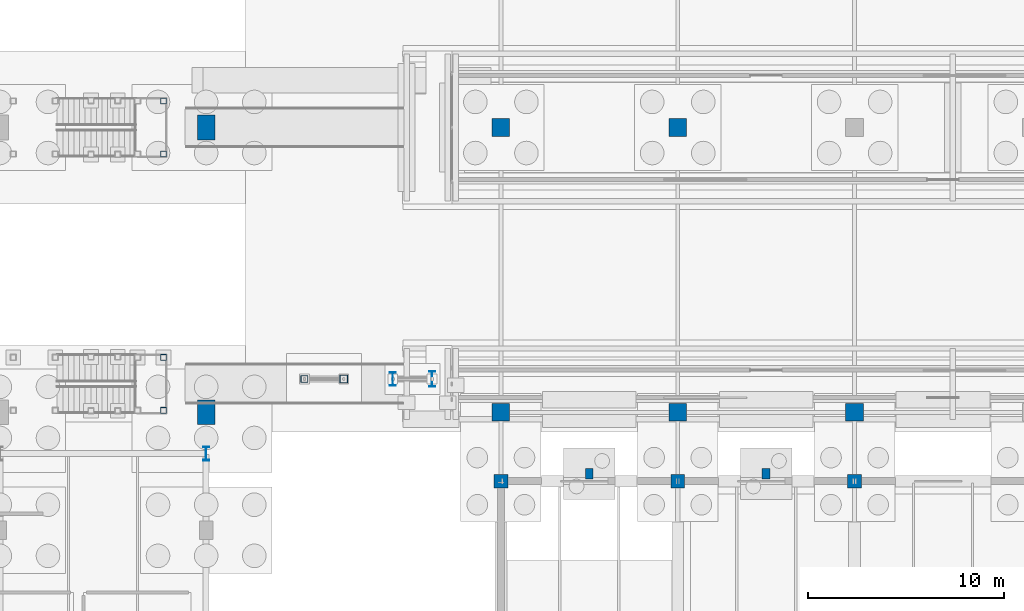
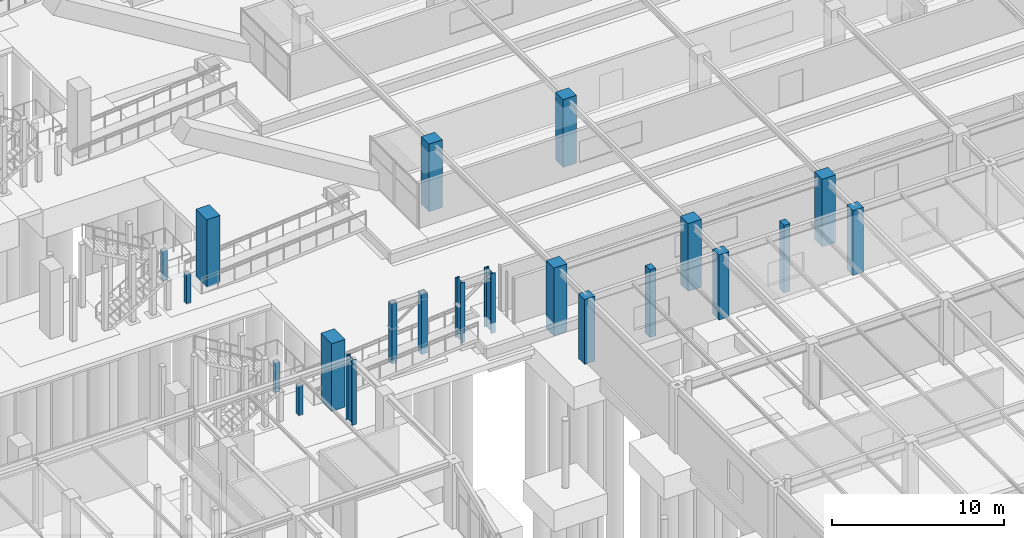
# One storey, part 28 of 160: 21 columns.
"""IFC4 building model written with IfcOpenShell, lengths in metres."""

from ifc_helpers import new_model, si_unit, direction, frame, origin, origin_2d, place, context, subcontext, project, spatial, rectangle, hollow_rectangle, i_section, extrude, material, material_profile, profile_set, type_object, element, save


model = new_model("IFC4")

# Units and contexts
model_context = context("Model", 3, precision=1e-05, world=origin(), true_north=direction((0.0, 1.0)))
body_context = subcontext(model_context, "Body", "Model", "MODEL_VIEW")
ifc_project = project(units=[si_unit("LENGTHUNIT", "METRE"), si_unit("AREAUNIT", "SQUARE_METRE"), si_unit("VOLUMEUNIT", "CUBIC_METRE"), si_unit("PLANEANGLEUNIT", "RADIAN"), si_unit("MASSUNIT", "GRAM", prefix="KILO")], contexts=[model_context])

# Site, building, storey
site_placement = place(None, origin())
site = spatial("IfcSite", under=ifc_project, at=site_placement, CompositionType="ELEMENT")
building_placement = place(site_placement, origin())
building = spatial("IfcBuilding", under=site, at=building_placement, Name="Marlcrest Central Station", CompositionType="ELEMENT")
storey_placement = place(building_placement, origin())
storey = spatial("IfcBuildingStorey", under=building, at=storey_placement, Name="L00", CompositionType="ELEMENT", Elevation=0.0)

# Columns
ifc_material_1 = material(Name="Precast concrete C40/50", Category="concrete")
ifc_material_profile_1 = material_profile(ifc_material_1, rectangle(XDim=0.39990234375, YDim=0.550048828125, at=origin_2d()), Name="PIL 400x550")
ifc_profile_set_1 = profile_set([ifc_material_profile_1], Name="Precast concrete C40/50")
column_type_1 = type_object("IfcColumnType", Name="PL-02", PredefinedType="PILASTER", material=ifc_profile_set_1)
for number, where, z_axis, x_axis, name in (
    (1, (148.5, 33.3798828125, 0.0), (0.0, 0.0, 1.0), (1.0, 0.0, 0.0), "col-PL-02-L00-0289"),
    (2, (157.5, 33.3798828125, 0.0), (0.0, 0.0, 1.0), (1.0, 0.0, 0.0), "col-PL-02-L00-0290"),
):
    element("IfcColumn", number, at=place(storey_placement, frame(where, z_axis=z_axis, x_axis=x_axis)), inside=storey, type_object=column_type_1, Name=name, PredefinedType="PILASTER", context=body_context, shape_type="SweptSolid", body=[
        extrude(rectangle(XDim=0.39990234375, YDim=0.550048828125, at=origin_2d()), origin(), (0.0, 0.0, 1.0), 4.800048828125),
    ])
ifc_material_2 = material(Name="Concrete C50/60", Category="concrete")
ifc_material_profile_2 = material_profile(ifc_material_2, rectangle(XDim=0.699951171875, YDim=0.699951171875, at=origin_2d()), Name="RC 700x700")
ifc_profile_set_2 = profile_set([ifc_material_profile_2], Name="Concrete C50/60")
column_type_2 = type_object("IfcColumnType", Name="RC-06", PredefinedType="COLUMN", material=ifc_profile_set_2)
for number, where, z_axis, x_axis, name in (
    (3, (144.0, 33.0, 0.0), (0.0, 0.0, 1.0), (1.0, 0.0, 0.0), "col-RC-06-L00-0256"),
    (4, (153.0, 33.0, 0.0), (0.0, 0.0, 1.0), (1.0, 0.0, 0.0), "col-RC-06-L00-0260"),
    (5, (162.0, 33.0, 0.0), (0.0, 0.0, 1.0), (1.0, 0.0, 0.0), "col-RC-06-L00-0264"),
):
    element("IfcColumn", number, at=place(storey_placement, frame(where, z_axis=z_axis, x_axis=x_axis)), inside=storey, type_object=column_type_2, Name=name, PredefinedType="COLUMN", context=body_context, shape_type="SweptSolid", body=[
        extrude(rectangle(XDim=0.699951171875, YDim=0.699951171875, at=origin_2d()), origin(), (0.0, 0.0, 1.0), 4.60498046875),
    ])
ifc_material_profile_3 = material_profile(ifc_material_2, rectangle(XDim=0.89990234375, YDim=0.89990234375, at=origin_2d()), Name="RC 900x900")
ifc_profile_set_3 = profile_set([ifc_material_profile_3], Name="Concrete C50/60")
column_type_3 = type_object("IfcColumnType", Name="RC-08", PredefinedType="COLUMN", material=ifc_profile_set_3)
for number, where, z_axis, x_axis, name in (
    (6, (144.0, 36.5, 0.0), (0.0, 0.0, 1.0), (1.0, 0.0, 0.0), "col-RC-08-L00-0512"),
    (7, (144.0, 51.0, 0.0), (0.0, 0.0, 1.0), (1.0, 0.0, 0.0), "col-RC-08-L00-0514"),
    (8, (153.0, 36.5, 0.0), (0.0, 0.0, 1.0), (1.0, 0.0, 0.0), "col-RC-08-L00-0523"),
    (9, (153.0, 51.0, 0.0), (0.0, 0.0, 1.0), (1.0, 0.0, 0.0), "col-RC-08-L00-0525"),
    (10, (162.0, 36.5, 0.0), (0.0, 0.0, 1.0), (1.0, 0.0, 0.0), "col-RC-08-L00-0534"),
):
    element("IfcColumn", number, at=place(storey_placement, frame(where, z_axis=z_axis, x_axis=x_axis)), inside=storey, type_object=column_type_3, Name=name, PredefinedType="COLUMN", context=body_context, shape_type="SweptSolid", body=[
        extrude(rectangle(XDim=0.89990234375, YDim=0.89990234375, at=origin_2d()), origin(), (0.0, 0.0, 1.0), 4.800048828125),
    ])
ifc_material_profile_4 = material_profile(ifc_material_2, rectangle(XDim=0.89990234375, YDim=1.25, at=origin_2d()), Name="RC 900x1250")
ifc_profile_set_4 = profile_set([ifc_material_profile_4], Name="Concrete C50/60")
column_type_4 = type_object("IfcColumnType", Name="RC-12", PredefinedType="COLUMN", material=ifc_profile_set_4)
for number, where, z_axis, x_axis, name in (
    (11, (129.0, 36.5, 0.0), (0.0, 0.0, 1.0), (1.0, 0.0, 0.0), "col-RC-12-L00-0657"),
    (12, (129.0, 51.0, 0.0), (0.0, 0.0, 1.0), (1.0, 0.0, 0.0), "col-RC-12-L00-0659"),
):
    element("IfcColumn", number, at=place(storey_placement, frame(where, z_axis=z_axis, x_axis=x_axis)), inside=storey, type_object=column_type_4, Name=name, PredefinedType="COLUMN", context=body_context, shape_type="SweptSolid", body=[
        extrude(rectangle(XDim=0.89990234375, YDim=1.25, at=origin_2d()), origin(), (0.0, 0.0, 1.0), 4.800048828125),
    ])
ifc_material_3 = material(Name="Steel S355", Category="steel")
ifc_material_profile_5 = material_profile(ifc_material_3, i_section(OverallWidth=0.300048828125, OverallDepth=0.699951171875, WebThickness=0.01708984375, FlangeThickness=0.031982421875, FilletRadius=0.027099609375, at=origin_2d()), Name="HEB 700")
ifc_profile_set_5 = profile_set([ifc_material_profile_5], Name="Steel S355")
column_type_5 = type_object("IfcColumnType", Name="SC-07", PredefinedType="COLUMN", material=ifc_profile_set_5)
column_1_placement = place(storey_placement, frame((129.0, 34.39990234375, 0.0), z_axis=(0.0, 0.0, 1.0), x_axis=(1.0, 0.0, 0.0)))
element("IfcColumn", 13, at=column_1_placement, inside=storey, type_object=column_type_5, Name="col-SC-07-L00-0840", PredefinedType="COLUMN", context=body_context, shape_type="SweptSolid", body=[
    extrude(i_section(OverallWidth=0.300048828125, OverallDepth=0.699951171875, WebThickness=0.01708984375, FlangeThickness=0.031982421875, FilletRadius=0.027099609375, at=origin_2d()), origin(), (0.0, 0.0, 1.0), 4.60498046875),
])
ifc_material_profile_6 = material_profile(ifc_material_3, i_section(OverallWidth=0.300048828125, OverallDepth=0.68994140625, WebThickness=0.014404296875, FlangeThickness=0.027099609375, FilletRadius=0.027099609375, at=origin_2d()), Name="HEA 700")
ifc_profile_set_6 = profile_set([ifc_material_profile_6], Name="Steel S355")
column_type_6 = type_object("IfcColumnType", Name="SC-16", PredefinedType="COLUMN", material=ifc_profile_set_6)
column_2_placement = place(storey_placement, frame((138.5, 38.199951171875, 0.199951171875), z_axis=(0.0, 0.0, 1.0), x_axis=(1.0, 0.0, 0.0)))
element("IfcColumn", 14, at=column_2_placement, inside=storey, type_object=column_type_6, Name="col-SC-16-L00-0921", PredefinedType="COLUMN", context=body_context, shape_type="SweptSolid", body=[
    extrude(i_section(OverallWidth=0.300048828125, OverallDepth=0.68994140625, WebThickness=0.014404296875, FlangeThickness=0.027099609375, FilletRadius=0.027099609375, at=origin_2d()), origin(), (0.0, 0.0, 1.0), 4.25),
])
ifc_material_profile_7 = material_profile(ifc_material_3, i_section(OverallWidth=0.300048828125, OverallDepth=0.7900390625, WebThickness=0.014892578125, FlangeThickness=0.028076171875, FilletRadius=0.030029296875, at=origin_2d()), Name="HEA 800")
ifc_profile_set_7 = profile_set([ifc_material_profile_7], Name="Steel S355")
column_type_7 = type_object("IfcColumnType", Name="SC-17", PredefinedType="COLUMN", material=ifc_profile_set_7)
column_3_placement = place(storey_placement, frame((140.5, 38.199951171875, 0.199951171875), z_axis=(0.0, 0.0, 1.0), x_axis=(1.0, 0.0, 0.0)))
element("IfcColumn", 15, at=column_3_placement, inside=storey, type_object=column_type_7, Name="col-SC-17-L00-0922", PredefinedType="COLUMN", context=body_context, shape_type="SweptSolid", body=[
    extrude(i_section(OverallWidth=0.300048828125, OverallDepth=0.7900390625, WebThickness=0.014892578125, FlangeThickness=0.028076171875, FilletRadius=0.030029296875, at=origin_2d()), origin(), (0.0, 0.0, 1.0), 4.25),
])
ifc_material_profile_8 = material_profile(ifc_material_3, hollow_rectangle(XDim=0.300048828125, YDim=0.300048828125, WallThickness=0.01611328125, at=origin_2d()), Name="SHS 300x300x16")
ifc_profile_set_8 = profile_set([ifc_material_profile_8], Name="Steel S355")
column_type_8 = type_object("IfcColumnType", Name="SC-19", PredefinedType="COLUMN", material=ifc_profile_set_8)
for number, where, z_axis, x_axis, name in (
    (16, (126.830078125, 36.60009765625, 0.0), (0.0, 0.0, 1.0), (1.0, 0.0, 0.0), "stcol-0005-1268-366"),
    (17, (126.830078125, 39.300048828125, 0.0), (0.0, 0.0, 1.0), (1.0, 0.0, 0.0), "stcol-0005-1268-393"),
    (18, (126.830078125, 49.64990234375, 0.0), (0.0, 0.0, 1.0), (1.0, 0.0, 0.0), "stcol-0011-1268-496"),
    (19, (126.830078125, 52.35009765625, 0.0), (0.0, 0.0, 1.0), (1.0, 0.0, 0.0), "stcol-0011-1268-523"),
):
    element("IfcColumn", number, at=place(storey_placement, frame(where, z_axis=z_axis, x_axis=x_axis)), inside=storey, type_object=column_type_8, Name=name, PredefinedType="COLUMN", context=body_context, shape_type="SweptSolid", body=[
        extrude(hollow_rectangle(XDim=0.300048828125, YDim=0.300048828125, WallThickness=0.01611328125, at=origin_2d()), origin(), (0.0, 0.0, 1.0), 2.080078125),
    ])
ifc_material_profile_9 = material_profile(ifc_material_3, hollow_rectangle(XDim=0.35009765625, YDim=0.35009765625, WallThickness=0.01611328125, at=origin_2d()), Name="SHS 350x350x16")
ifc_profile_set_9 = profile_set([ifc_material_profile_9], Name="Steel S355")
column_type_9 = type_object("IfcColumnType", Name="SC-20", PredefinedType="COLUMN", material=ifc_profile_set_9)
column_4_placement = place(storey_placement, frame((134.0, 38.199951171875, 0.199951171875), z_axis=(0.0, 0.0, 1.0), x_axis=(1.0, 0.0, 0.0)))
element("IfcColumn", 20, at=column_4_placement, inside=storey, type_object=column_type_9, Name="col-SC-20-L00-0937", PredefinedType="COLUMN", context=body_context, shape_type="SweptSolid", body=[
    extrude(hollow_rectangle(XDim=0.35009765625, YDim=0.35009765625, WallThickness=0.01611328125, at=origin_2d()), origin(), (0.0, 0.0, 1.0), 4.25),
])
ifc_material_profile_10 = material_profile(ifc_material_3, hollow_rectangle(XDim=0.39990234375, YDim=0.39990234375, WallThickness=0.02001953125, at=origin_2d()), Name="SHS 400x400x20")
ifc_profile_set_10 = profile_set([ifc_material_profile_10], Name="Steel S355")
column_type_10 = type_object("IfcColumnType", Name="SC-21", PredefinedType="COLUMN", material=ifc_profile_set_10)
column_5_placement = place(storey_placement, frame((136.0, 38.199951171875, 0.199951171875), z_axis=(0.0, 0.0, 1.0), x_axis=(1.0, 0.0, 0.0)))
element("IfcColumn", 21, at=column_5_placement, inside=storey, type_object=column_type_10, Name="col-SC-21-L00-0938", PredefinedType="COLUMN", context=body_context, shape_type="SweptSolid", body=[
    extrude(hollow_rectangle(XDim=0.39990234375, YDim=0.39990234375, WallThickness=0.02001953125, at=origin_2d()), origin(), (0.0, 0.0, 1.0), 4.25),
])

save(model, "model.ifc")
